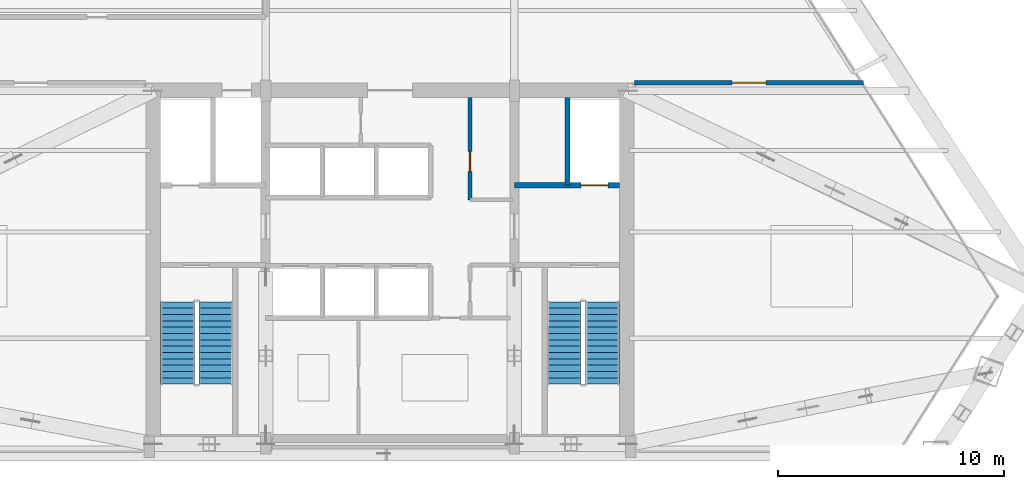
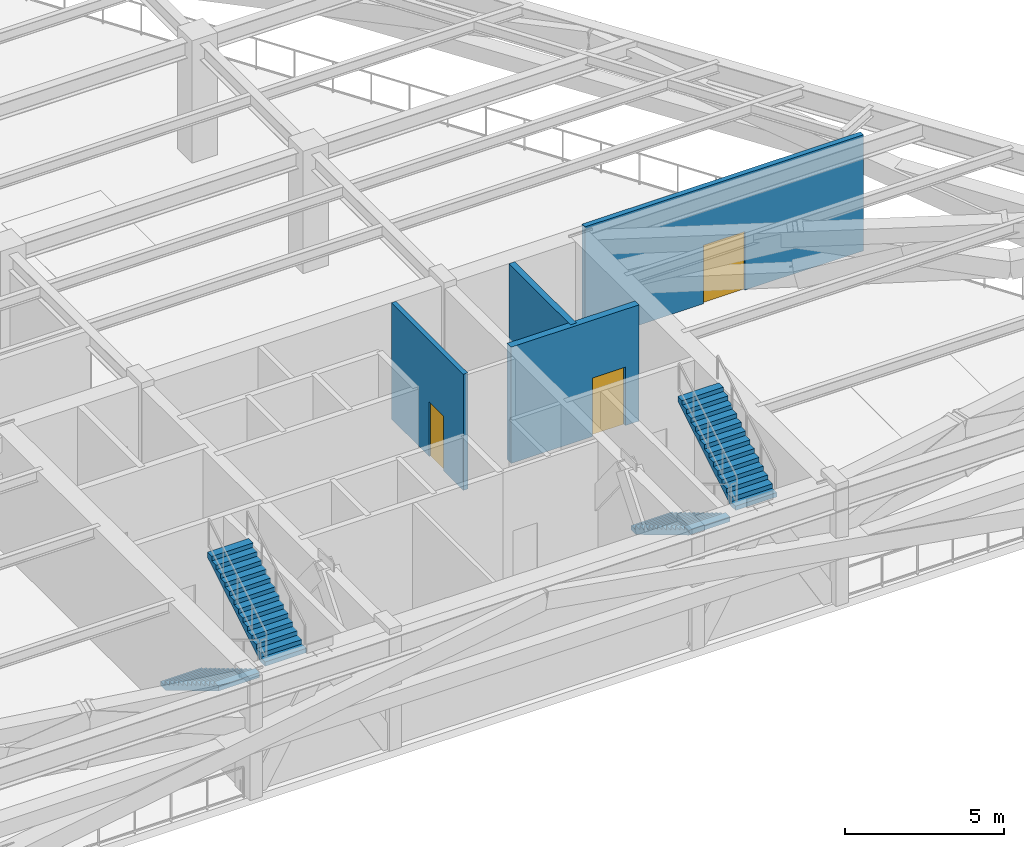
# One storey, part 7 of 9: 4 stair flights, 4 walls, 3 doors, 3 openings, 2 elements without a shape of their own.
"""IFC4 building model written with IfcOpenShell, lengths in metres."""

from ifc_helpers import new_model, si_unit, direction, frame, frame_2d, origin, place, context, subcontext, project, spatial, polyline, rectangle, outline, extrude, source, transform, mapped, material, layer, layer_set, type_object, type_shapes, element, fill, aggregate, save


model = new_model("IFC4")

# Units and contexts
model_context = context("Model", 3, precision=1e-05, world=origin(), true_north=direction((0.0, 1.0)))
body_context = subcontext(model_context, "Body", "Model", "MODEL_VIEW")
ifc_project = project(units=[si_unit("LENGTHUNIT", "METRE"), si_unit("AREAUNIT", "SQUARE_METRE"), si_unit("VOLUMEUNIT", "CUBIC_METRE"), si_unit("PLANEANGLEUNIT", "RADIAN"), si_unit("MASSUNIT", "GRAM", prefix="KILO")], contexts=[model_context])

# Site, building, storey
site_placement = place(None, origin())
site = spatial("IfcSite", under=ifc_project, at=site_placement, CompositionType="ELEMENT")
building_placement = place(site_placement, origin())
building = spatial("IfcBuilding", under=site, at=building_placement, Name="Varnakhor Terracotta Tower", CompositionType="ELEMENT")
storey_placement = place(building_placement, frame((0.0, 0.0, 166.300048828125)))
storey = spatial("IfcBuildingStorey", under=building, at=storey_placement, Name="L42", CompositionType="ELEMENT", Elevation=166.300048828125)

# Wall, opening, door
ifc_material_1 = material(Name="Fire-Rated Gypsum Stud Partition", Category="gypsum")
ifc_layer_1 = layer(ifc_material_1, 0.18505859375, Name="Fire-Rated Gypsum Stud Partition")
ifc_layer_set_1 = layer_set([ifc_layer_1], Name="Fire-Rated Gypsum Stud Partition")
wall_type_1 = type_object("IfcWallType", Name="WAL-CORR-185", PredefinedType="PARTITIONING", material=ifc_layer_set_1)
wall_1_placement = place(storey_placement, frame((10.820068359375, 16.39990234375, 0.0), z_axis=(0.0, 0.0, 1.0), x_axis=(1.0, 0.0, 0.0)))
wall_1 = element("IfcWall", 1, at=wall_1_placement, inside=storey, type_object=wall_type_1, Name="L42 East Plant Wall", PredefinedType="PARTITIONING", context=body_context, shape_type="SweptSolid", body=[
    extrude(rectangle(XDim=10.119873046875, YDim=0.18505859375, at=frame_2d((5.06005859375, 0.0))), origin(), (0.0, 0.0, 1.0), 4.4619140625),
])
opening_1_placement = place(wall_1_placement, frame((4.31005859375, 0.0, 0.0)))
opening_1 = element("IfcOpeningElement", 2, at=opening_1_placement, cuts=wall_1, Name="Opening DR-30", PredefinedType="OPENING", context=body_context, shape_type="SweptSolid", body=[
    extrude(rectangle(XDim=1.5, YDim=2.25, at=frame_2d((0.75, 1.125))), frame((0.0, 0.1025390625, 0.0), z_axis=(0.0, -1.0, 0.0), x_axis=(1.0, 0.0, 0.0)), (0.0, 0.0, 1.0), 0.205078125),
])
ifc_material_2 = material(Name="Double Acoustic Conference Room Door", Category="wood")
door_type_1 = type_object("IfcDoorType", Name="DR-MEET-1500X2250", OperationType="NOTDEFINED", PredefinedType="DOOR", material=ifc_material_2)
shared_shape_1 = source(origin(), body_context, "Body", "SweptSolid", [
    extrude(rectangle(XDim=1.5, YDim=2.25, at=frame_2d((0.75, 1.125))), frame((0.0, 0.02490234375, 0.0), z_axis=(0.0, -1.0, 0.0), x_axis=(1.0, 0.0, 0.0)), (0.0, 0.0, 1.0), 0.050048828125),
])
type_shapes(door_type_1, [shared_shape_1])
door_1_placement = place(opening_1_placement, origin())
door_1 = element("IfcDoor", 3, at=door_1_placement, inside=storey, type_object=door_type_1, Name="L42 East Electrical Room Door", OperationType="DOUBLE_DOOR_SINGLE_SWING", OverallHeight=2.25, OverallWidth=1.5, PredefinedType="DOOR", context=body_context, shape_type="MappedRepresentation", body=[
    mapped(shared_shape_1, transform((0.0, 0.0, 0.0), scale=1.0)),
])
fill(opening_1, door_1)

# Wall
ifc_material_3 = material(Name="Concrete C40/50", Category="concrete")
ifc_layer_2 = layer(ifc_material_3, 0.219970703125, Name="Concrete C40/50")
ifc_layer_set_2 = layer_set([ifc_layer_2], Name="Concrete C40/50")
wall_type_2 = type_object("IfcWallType", Name="WAL-SHAFT-220", PredefinedType="SOLIDWALL", material=ifc_layer_set_2)
wall_2_placement = place(storey_placement, frame((7.840087890625, 11.8701171875, 0.0), z_axis=(0.0, 0.0, 1.0), x_axis=(0.0, 1.0, 0.0)))
element("IfcWall", 4, at=wall_2_placement, inside=storey, type_object=wall_type_2, Name="L42 Lift FFL-2 and Riser Divider Wall", PredefinedType="SOLIDWALL", context=body_context, shape_type="SweptSolid", body=[
    extrude(rectangle(XDim=3.8798828125, YDim=0.219970703125, at=frame_2d((1.93994140625, 0.0))), origin(), (0.0, 0.0, 1.0), 4.469970703125),
])

# Wall, opening, door
ifc_layer_3 = layer(ifc_material_3, 0.25, Name="Concrete C40/50")
ifc_layer_set_3 = layer_set([ifc_layer_3], Name="Concrete C40/50")
wall_type_3 = type_object("IfcWallType", Name="WAL-SHAFT-250", PredefinedType="SOLIDWALL", material=ifc_layer_set_3)
wall_3_placement = place(storey_placement, frame((10.14990234375, 11.8701171875, 0.0), z_axis=(0.0, 0.0, 1.0), x_axis=(-1.0, 0.0, 0.0)))
wall_3 = element("IfcWall", 5, at=wall_3_placement, inside=storey, type_object=wall_type_3, Name="L42 Lift FFL-2 Shaft Front Wall", PredefinedType="SOLIDWALL", context=body_context, shape_type="SweptSolid", body=[
    extrude(rectangle(XDim=4.64990234375, YDim=0.25, at=frame_2d((2.324951171875, 0.0))), origin(), (0.0, 0.0, 1.0), 4.469970703125),
])
opening_2_placement = place(wall_3_placement, frame((0.5, 0.0, 0.0)))
opening_2 = element("IfcOpeningElement", 6, at=opening_2_placement, cuts=wall_3, Name="Opening LD-02", PredefinedType="OPENING", context=body_context, shape_type="SweptSolid", body=[
    extrude(rectangle(XDim=1.199951171875, YDim=2.25, at=frame_2d((0.60009765625, 1.125))), frame((0.0, 0.135009765625, 0.0), z_axis=(0.0, -1.0, 0.0), x_axis=(1.0, 0.0, 0.0)), (0.0, 0.0, 1.0), 0.27001953125),
])
ifc_material_4 = material(Name="Firefighting Stretcher Sliding Lift Landing Door", Category="steel")
door_type_2 = type_object("IfcDoorType", Name="LD-FFL-1200X2250", OperationType="NOTDEFINED", PredefinedType="DOOR", material=ifc_material_4)
shared_shape_2 = source(origin(), body_context, "Body", "SweptSolid", [
    extrude(rectangle(XDim=1.199951171875, YDim=2.25, at=frame_2d((0.60009765625, 1.125))), frame((0.0, 0.02490234375, 0.0), z_axis=(0.0, -1.0, 0.0), x_axis=(1.0, 0.0, 0.0)), (0.0, 0.0, 1.0), 0.050048828125),
])
type_shapes(door_type_2, [shared_shape_2])
door_2_placement = place(opening_2_placement, origin())
door_2 = element("IfcDoor", 7, at=door_2_placement, inside=storey, type_object=door_type_2, Name="L42 Firefighting Lift FFL-2 Landing Door", OperationType="SLIDING_TO_RIGHT", OverallHeight=2.25, OverallWidth=1.199951171875, PredefinedType="DOOR", context=body_context, shape_type="MappedRepresentation", body=[
    mapped(shared_shape_2, transform((0.0, 0.0, 0.0), scale=1.0)),
])
fill(opening_2, door_2)

ifc_material_5 = material(Name="Acoustic Fire-Rated Partition", Category="gypsum")
ifc_layer_4 = layer(ifc_material_5, 0.1650390625, Name="Acoustic Fire-Rated Partition")
ifc_layer_set_4 = layer_set([ifc_layer_4], Name="Acoustic Fire-Rated Partition")
wall_type_4 = type_object("IfcWallType", Name="WAL-TENANCY-165", PredefinedType="PARTITIONING", material=ifc_layer_set_4)
wall_4_placement = place(storey_placement, frame((3.5400390625, 11.219970703125, 0.0), z_axis=(0.0, 0.0, 1.0), x_axis=(0.0, 1.0, 0.0)))
wall_4 = element("IfcWall", 8, at=wall_4_placement, inside=storey, type_object=wall_type_4, Name="L42 Restroom Corridor Wall", PredefinedType="PARTITIONING", context=body_context, shape_type="SweptSolid", body=[
    extrude(rectangle(XDim=4.530029296875, YDim=0.1650390625, at=frame_2d((2.26513671875, 0.0))), origin(), (0.0, 0.0, 1.0), 4.4619140625),
])
opening_3_placement = place(wall_4_placement, frame((1.25, 0.0, 0.0)))
opening_3 = element("IfcOpeningElement", 9, at=opening_3_placement, cuts=wall_4, Name="Opening DR-67", PredefinedType="OPENING", context=body_context, shape_type="SweptSolid", body=[
    extrude(rectangle(XDim=0.89990234375, YDim=2.10009765625, at=frame_2d((0.449951171875, 1.050048828125))), frame((0.0, 0.092529296875, 0.0), z_axis=(0.0, -1.0, 0.0), x_axis=(1.0, 0.0, 0.0)), (0.0, 0.0, 1.0), 0.18505859375),
])
ifc_material_6 = material(Name="Steel Service Riser Fire Door", Category="steel")
door_type_3 = type_object("IfcDoorType", Name="DR-RISER-900X2100", OperationType="NOTDEFINED", PredefinedType="DOOR", material=ifc_material_6)
shared_shape_3 = source(origin(), body_context, "Body", "SweptSolid", [
    extrude(rectangle(XDim=0.89990234375, YDim=2.10009765625, at=frame_2d((0.449951171875, 1.050048828125))), frame((0.0, 0.02490234375, 0.0), z_axis=(0.0, -1.0, 0.0), x_axis=(1.0, 0.0, 0.0)), (0.0, 0.0, 1.0), 0.050048828125),
])
type_shapes(door_type_3, [shared_shape_3])
door_3_placement = place(opening_3_placement, origin())
door_3 = element("IfcDoor", 10, at=door_3_placement, inside=storey, type_object=door_type_3, Name="L42 Female WC Door", OperationType="SINGLE_SWING_LEFT", OverallHeight=2.10009765625, OverallWidth=0.89990234375, PredefinedType="DOOR", context=body_context, shape_type="MappedRepresentation", body=[
    mapped(shared_shape_3, transform((0.0, 0.0, 0.0), scale=1.0)),
])
fill(opening_3, door_3)

# Stair, stair flights
stair_type = type_object("IfcStairType", Name="STR-CORE-OFFICE-1500", PredefinedType="HALF_TURN_STAIR", material=ifc_material_3)
stair_1_placement = place(storey_placement, origin())
stair_1 = element("IfcStair", 11, at=stair_1_placement, inside=storey, type_object=stair_type, Name="L42 Core Exit Stair ST-1", PredefinedType="HALF_TURN_STAIR")
stair_flight_type = type_object("IfcStairFlightType", Name="FLT-CORE-1500", PredefinedType="STRAIGHT", material=ifc_material_3)
stair_flight_1_placement = place(storey_placement, frame((-9.39990234375, 6.7099609375, 0.0), z_axis=(0.0, 0.0, 1.0), x_axis=(0.0, -1.0, 0.0)))
stair_flight_1 = element("IfcStairFlight", 12, at=stair_flight_1_placement, type_object=stair_flight_type, Name="ST-1 flight 1", NumberOfRisers=14, NumberOfTreads=13, PredefinedType="STRAIGHT", RiserHeight=0.167857143, TreadLength=0.28, context=body_context, shape_type="SweptSolid", body=[
    extrude(outline(polyline([(0.0, 0.0), (0.0, 0.16796875), (0.280029296875, 0.16796875), (0.280029296875, 0.335693359375), (0.56005859375, 0.335693359375), (0.56005859375, 0.503662109375), (0.840087890625, 0.503662109375), (0.840087890625, 0.67138671875), (1.1201171875, 0.67138671875), (1.1201171875, 0.83935546875), (1.39990234375, 0.83935546875), (1.39990234375, 1.007080078125), (1.679931640625, 1.007080078125), (1.679931640625, 1.175048828125), (1.9599609375, 1.175048828125), (1.9599609375, 1.3427734375), (2.239990234375, 1.3427734375), (2.239990234375, 1.5107421875), (2.52001953125, 1.5107421875), (2.52001953125, 1.678466796875), (2.800048828125, 1.678466796875), (2.800048828125, 1.846435546875), (3.080078125, 1.846435546875), (3.080078125, 2.014404296875), (3.360107421875, 2.014404296875), (3.360107421875, 2.18212890625), (3.639892578125, 2.18212890625), (3.639892578125, 2.35009765625), (3.639892578125, 1.99560546875), (0.31103515625, 0.0), (0.0, 0.0)])), frame((0.0, 0.75, 0.0), z_axis=(0.0, -1.0, 0.0), x_axis=(1.0, 0.0, 0.0)), (0.0, 0.0, 1.0), 1.5),
])
stair_flight_2_placement = place(storey_placement, frame((-7.699951171875, 3.070068359375, 2.349853515625), z_axis=(0.0, 0.0, 1.0), x_axis=(0.0, 1.0, 0.0)))
stair_flight_2 = element("IfcStairFlight", 13, at=stair_flight_2_placement, type_object=stair_flight_type, Name="ST-1 flight 2", NumberOfRisers=14, NumberOfTreads=13, PredefinedType="STRAIGHT", RiserHeight=0.167857143, TreadLength=0.28, context=body_context, shape_type="SweptSolid", body=[
    extrude(outline(polyline([(0.0, 0.0), (0.0, 0.16796875), (0.280029296875, 0.16796875), (0.280029296875, 0.335693359375), (0.56005859375, 0.335693359375), (0.56005859375, 0.503662109375), (0.840087890625, 0.503662109375), (0.840087890625, 0.67138671875), (1.1201171875, 0.67138671875), (1.1201171875, 0.83935546875), (1.39990234375, 0.83935546875), (1.39990234375, 1.007080078125), (1.679931640625, 1.007080078125), (1.679931640625, 1.175048828125), (1.9599609375, 1.175048828125), (1.9599609375, 1.3427734375), (2.239990234375, 1.3427734375), (2.239990234375, 1.5107421875), (2.52001953125, 1.5107421875), (2.52001953125, 1.678466796875), (2.800048828125, 1.678466796875), (2.800048828125, 1.846435546875), (3.080078125, 1.846435546875), (3.080078125, 2.014404296875), (3.360107421875, 2.014404296875), (3.360107421875, 2.18212890625), (3.639892578125, 2.18212890625), (3.639892578125, 2.35009765625), (3.639892578125, 1.99560546875), (0.31103515625, 0.0), (0.0, 0.0)])), frame((0.0, 0.75, 0.0), z_axis=(0.0, -1.0, 0.0), x_axis=(1.0, 0.0, 0.0)), (0.0, 0.0, 1.0), 1.5),
])
aggregate(stair_1, [stair_flight_1, stair_flight_2])

stair_2_placement = place(storey_placement, origin())
stair_2 = element("IfcStair", 14, at=stair_2_placement, inside=storey, type_object=stair_type, Name="L42 Core Exit Stair ST-2", PredefinedType="HALF_TURN_STAIR")
stair_flight_3_placement = place(storey_placement, frame((7.699951171875, 6.7099609375, 0.0), z_axis=(0.0, 0.0, 1.0), x_axis=(0.0, -1.0, 0.0)))
stair_flight_3 = element("IfcStairFlight", 15, at=stair_flight_3_placement, type_object=stair_flight_type, Name="ST-2 flight 1", NumberOfRisers=14, NumberOfTreads=13, PredefinedType="STRAIGHT", RiserHeight=0.167857143, TreadLength=0.28, context=body_context, shape_type="SweptSolid", body=[
    extrude(outline(polyline([(0.0, 0.0), (0.0, 0.16796875), (0.280029296875, 0.16796875), (0.280029296875, 0.335693359375), (0.56005859375, 0.335693359375), (0.56005859375, 0.503662109375), (0.840087890625, 0.503662109375), (0.840087890625, 0.67138671875), (1.1201171875, 0.67138671875), (1.1201171875, 0.83935546875), (1.39990234375, 0.83935546875), (1.39990234375, 1.007080078125), (1.679931640625, 1.007080078125), (1.679931640625, 1.175048828125), (1.9599609375, 1.175048828125), (1.9599609375, 1.3427734375), (2.239990234375, 1.3427734375), (2.239990234375, 1.5107421875), (2.52001953125, 1.5107421875), (2.52001953125, 1.678466796875), (2.800048828125, 1.678466796875), (2.800048828125, 1.846435546875), (3.080078125, 1.846435546875), (3.080078125, 2.014404296875), (3.360107421875, 2.014404296875), (3.360107421875, 2.18212890625), (3.639892578125, 2.18212890625), (3.639892578125, 2.35009765625), (3.639892578125, 1.99560546875), (0.31103515625, 0.0), (0.0, 0.0)])), frame((0.0, 0.75, 0.0), z_axis=(0.0, -1.0, 0.0), x_axis=(1.0, 0.0, 0.0)), (0.0, 0.0, 1.0), 1.5),
])
stair_flight_4_placement = place(storey_placement, frame((9.39990234375, 3.070068359375, 2.349853515625), z_axis=(0.0, 0.0, 1.0), x_axis=(0.0, 1.0, 0.0)))
stair_flight_4 = element("IfcStairFlight", 16, at=stair_flight_4_placement, type_object=stair_flight_type, Name="ST-2 flight 2", NumberOfRisers=14, NumberOfTreads=13, PredefinedType="STRAIGHT", RiserHeight=0.167857143, TreadLength=0.28, context=body_context, shape_type="SweptSolid", body=[
    extrude(outline(polyline([(0.0, 0.0), (0.0, 0.16796875), (0.280029296875, 0.16796875), (0.280029296875, 0.335693359375), (0.56005859375, 0.335693359375), (0.56005859375, 0.503662109375), (0.840087890625, 0.503662109375), (0.840087890625, 0.67138671875), (1.1201171875, 0.67138671875), (1.1201171875, 0.83935546875), (1.39990234375, 0.83935546875), (1.39990234375, 1.007080078125), (1.679931640625, 1.007080078125), (1.679931640625, 1.175048828125), (1.9599609375, 1.175048828125), (1.9599609375, 1.3427734375), (2.239990234375, 1.3427734375), (2.239990234375, 1.5107421875), (2.52001953125, 1.5107421875), (2.52001953125, 1.678466796875), (2.800048828125, 1.678466796875), (2.800048828125, 1.846435546875), (3.080078125, 1.846435546875), (3.080078125, 2.014404296875), (3.360107421875, 2.014404296875), (3.360107421875, 2.18212890625), (3.639892578125, 2.18212890625), (3.639892578125, 2.35009765625), (3.639892578125, 1.99560546875), (0.31103515625, 0.0), (0.0, 0.0)])), frame((0.0, 0.75, 0.0), z_axis=(0.0, -1.0, 0.0), x_axis=(1.0, 0.0, 0.0)), (0.0, 0.0, 1.0), 1.5),
])
aggregate(stair_2, [stair_flight_3, stair_flight_4])

save(model, "model.ifc")
